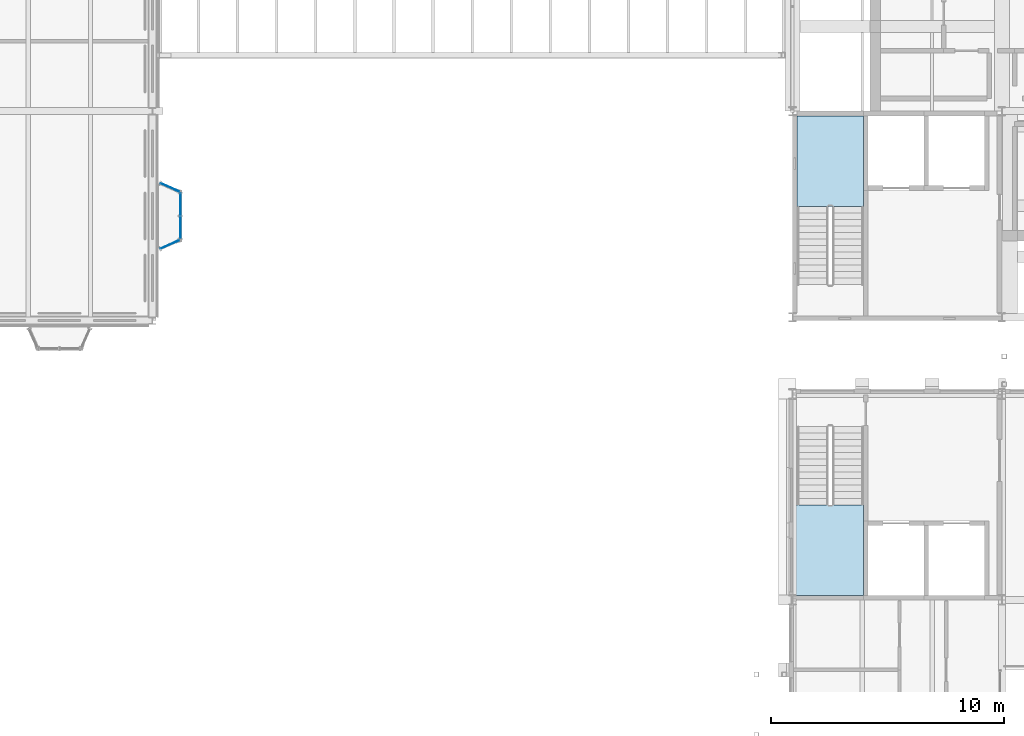
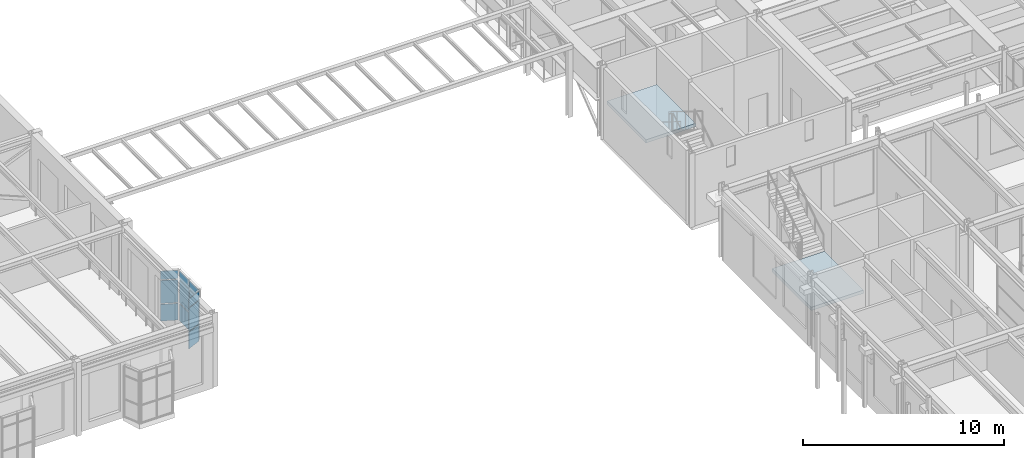
# One storey, part 86 of 153: 12 plates, 2 slabs, 5 elements without a shape of their own.
"""IFC4 building model written with IfcOpenShell, lengths in metres."""

from ifc_helpers import new_model, si_unit, direction, frame, origin, origin_2d, place, context, subcontext, project, spatial, polyline, rectangle, outline, extrude, material, layer, layer_set, type_object, element, aggregate, save


model = new_model("IFC4")

# Units and contexts
model_context = context("Model", 3, precision=1e-05, world=origin(), true_north=direction((0.0, 1.0)))
body_context = subcontext(model_context, "Body", "Model", "MODEL_VIEW")
ifc_project = project(units=[si_unit("LENGTHUNIT", "METRE"), si_unit("AREAUNIT", "SQUARE_METRE"), si_unit("VOLUMEUNIT", "CUBIC_METRE"), si_unit("PLANEANGLEUNIT", "RADIAN"), si_unit("MASSUNIT", "GRAM", prefix="KILO")], contexts=[model_context])

# Site, building, storey
site_placement = place(None, origin())
site = spatial("IfcSite", under=ifc_project, at=site_placement, CompositionType="ELEMENT")
building_placement = place(site_placement, origin())
building = spatial("IfcBuilding", under=site, at=building_placement, Name="Kallimachos Central Library", CompositionType="ELEMENT")
storey_placement = place(building_placement, frame((0.0, 0.0, 5.39990234375)))
storey = spatial("IfcBuildingStorey", under=building, at=storey_placement, Name="L01", CompositionType="ELEMENT", Elevation=5.39990234375)

# Curtain wall, plates
ifc_material_1 = material(Name="Laminated glass in anodised aluminium", Category="aluminium")
curtain_wall_type = type_object("IfcCurtainWallType", Name="Foyer curtain wall", PredefinedType="NOTDEFINED", material=ifc_material_1)
curtain_wall_1_placement = place(storey_placement, origin())
curtain_wall_1 = element("IfcCurtainWall", 1, at=curtain_wall_1_placement, inside=storey, type_object=curtain_wall_type, Name="Tribune bay return west", PredefinedType="NOTDEFINED")
ifc_material_2 = material(Name="Laminated glass", Category="glass")
ifc_layer_1 = layer(ifc_material_2, 0.028076171875)
ifc_layer_set_1 = layer_set([ifc_layer_1], Name="Curtain wall glass panel 28")
plate_type = type_object("IfcPlateType", Name="Curtain wall glass panel 28", PredefinedType="CURTAIN_PANEL", material=ifc_layer_set_1)
plate_1_placement = place(storey_placement, frame((38.75, 90.27490234375, 0.2099609375), z_axis=(0.0, 0.0, 1.0), x_axis=(0.913811548617, 0.40613846606, 0.0)))
plate_1 = element("IfcPlate", 2, at=plate_1_placement, type_object=plate_type, Name="CW panel 1.1", PredefinedType="CURTAIN_PANEL", context=body_context, shape_type="SweptSolid", body=[
    extrude(rectangle(XDim=0.864990234375, YDim=0.028076171875, at=origin_2d()), origin(), (0.0, 0.0, 1.0), 1.010009765625),
])
plate_2_placement = place(storey_placement, frame((38.75, 90.27490234375, 1.2802734375), z_axis=(0.0, 0.0, 1.0), x_axis=(0.913811548617, 0.40613846606, 0.0)))
plate_2 = element("IfcPlate", 3, at=plate_2_placement, type_object=plate_type, Name="CW panel 1.2", PredefinedType="CURTAIN_PANEL", context=body_context, shape_type="SweptSolid", body=[
    extrude(rectangle(XDim=0.864990234375, YDim=0.028076171875, at=origin_2d()), origin(), (0.0, 0.0, 1.0), 1.389892578125),
])
plate_3_placement = place(storey_placement, frame((38.75, 90.27490234375, 2.72998046875), z_axis=(0.0, 0.0, 1.0), x_axis=(0.913811548617, 0.40613846606, 0.0)))
plate_3 = element("IfcPlate", 4, at=plate_3_placement, type_object=plate_type, Name="CW panel 1.3", PredefinedType="CURTAIN_PANEL", context=body_context, shape_type="SweptSolid", body=[
    extrude(rectangle(XDim=0.864990234375, YDim=0.028076171875, at=origin_2d()), origin(), (0.0, 0.0, 1.0), 0.510009765625),
])
aggregate(curtain_wall_1, [plate_1, plate_2, plate_3])

curtain_wall_2_placement = place(storey_placement, origin())
curtain_wall_2 = element("IfcCurtainWall", 5, at=curtain_wall_2_placement, inside=storey, type_object=curtain_wall_type, Name="Tribune bay front", PredefinedType="NOTDEFINED")
plate_4_placement = place(storey_placement, frame((39.199951171875, 91.00244140625, 0.2099609375), z_axis=(0.0, 0.0, 1.0), x_axis=(0.0, 1.0, 0.0)))
plate_4 = element("IfcPlate", 6, at=plate_4_placement, type_object=plate_type, Name="CW panel 1.1", PredefinedType="CURTAIN_PANEL", context=body_context, shape_type="SweptSolid", body=[
    extrude(rectangle(XDim=0.93505859375, YDim=0.028076171875, at=origin_2d()), origin(), (0.0, 0.0, 1.0), 1.010009765625),
])
plate_5_placement = place(storey_placement, frame((39.199951171875, 91.00244140625, 1.2802734375), z_axis=(0.0, 0.0, 1.0), x_axis=(0.0, 1.0, 0.0)))
plate_5 = element("IfcPlate", 7, at=plate_5_placement, type_object=plate_type, Name="CW panel 1.2", PredefinedType="CURTAIN_PANEL", context=body_context, shape_type="SweptSolid", body=[
    extrude(rectangle(XDim=0.93505859375, YDim=0.028076171875, at=origin_2d()), origin(), (0.0, 0.0, 1.0), 1.389892578125),
])
plate_6_placement = place(storey_placement, frame((39.199951171875, 91.00244140625, 2.72998046875), z_axis=(0.0, 0.0, 1.0), x_axis=(0.0, 1.0, 0.0)))
plate_6 = element("IfcPlate", 8, at=plate_6_placement, type_object=plate_type, Name="CW panel 1.3", PredefinedType="CURTAIN_PANEL", context=body_context, shape_type="SweptSolid", body=[
    extrude(rectangle(XDim=0.93505859375, YDim=0.028076171875, at=origin_2d()), origin(), (0.0, 0.0, 1.0), 0.510009765625),
])
plate_7_placement = place(storey_placement, frame((39.199951171875, 91.99755859375, 0.2099609375), z_axis=(0.0, 0.0, 1.0), x_axis=(0.0, 1.0, 0.0)))
plate_7 = element("IfcPlate", 9, at=plate_7_placement, type_object=plate_type, Name="CW panel 2.1", PredefinedType="CURTAIN_PANEL", context=body_context, shape_type="SweptSolid", body=[
    extrude(rectangle(XDim=0.93505859375, YDim=0.028076171875, at=origin_2d()), origin(), (0.0, 0.0, 1.0), 1.010009765625),
])
plate_8_placement = place(storey_placement, frame((39.199951171875, 91.99755859375, 1.2802734375), z_axis=(0.0, 0.0, 1.0), x_axis=(0.0, 1.0, 0.0)))
plate_8 = element("IfcPlate", 10, at=plate_8_placement, type_object=plate_type, Name="CW panel 2.2", PredefinedType="CURTAIN_PANEL", context=body_context, shape_type="SweptSolid", body=[
    extrude(rectangle(XDim=0.93505859375, YDim=0.028076171875, at=origin_2d()), origin(), (0.0, 0.0, 1.0), 1.389892578125),
])
plate_9_placement = place(storey_placement, frame((39.199951171875, 91.99755859375, 2.72998046875), z_axis=(0.0, 0.0, 1.0), x_axis=(0.0, 1.0, 0.0)))
plate_9 = element("IfcPlate", 11, at=plate_9_placement, type_object=plate_type, Name="CW panel 2.3", PredefinedType="CURTAIN_PANEL", context=body_context, shape_type="SweptSolid", body=[
    extrude(rectangle(XDim=0.93505859375, YDim=0.028076171875, at=origin_2d()), origin(), (0.0, 0.0, 1.0), 0.510009765625),
])
aggregate(curtain_wall_2, [plate_4, plate_5, plate_6, plate_7, plate_8, plate_9])

curtain_wall_3_placement = place(storey_placement, origin())
curtain_wall_3 = element("IfcCurtainWall", 12, at=curtain_wall_3_placement, inside=storey, type_object=curtain_wall_type, Name="Tribune bay return east", PredefinedType="NOTDEFINED")
plate_10_placement = place(storey_placement, frame((38.75, 92.72509765625, 0.2099609375), z_axis=(0.0, 0.0, 1.0), x_axis=(-0.913811548617, 0.40613846606, 0.0)))
plate_10 = element("IfcPlate", 13, at=plate_10_placement, type_object=plate_type, Name="CW panel 1.1", PredefinedType="CURTAIN_PANEL", context=body_context, shape_type="SweptSolid", body=[
    extrude(rectangle(XDim=0.864990234375, YDim=0.028076171875, at=origin_2d()), origin(), (0.0, 0.0, 1.0), 1.010009765625),
])
plate_11_placement = place(storey_placement, frame((38.75, 92.72509765625, 1.2802734375), z_axis=(0.0, 0.0, 1.0), x_axis=(-0.913811548617, 0.40613846606, 0.0)))
plate_11 = element("IfcPlate", 14, at=plate_11_placement, type_object=plate_type, Name="CW panel 1.2", PredefinedType="CURTAIN_PANEL", context=body_context, shape_type="SweptSolid", body=[
    extrude(rectangle(XDim=0.864990234375, YDim=0.028076171875, at=origin_2d()), origin(), (0.0, 0.0, 1.0), 1.389892578125),
])
plate_12_placement = place(storey_placement, frame((38.75, 92.72509765625, 2.72998046875), z_axis=(0.0, 0.0, 1.0), x_axis=(-0.913811548617, 0.40613846606, 0.0)))
plate_12 = element("IfcPlate", 15, at=plate_12_placement, type_object=plate_type, Name="CW panel 1.3", PredefinedType="CURTAIN_PANEL", context=body_context, shape_type="SweptSolid", body=[
    extrude(rectangle(XDim=0.864990234375, YDim=0.028076171875, at=origin_2d()), origin(), (0.0, 0.0, 1.0), 0.510009765625),
])
aggregate(curtain_wall_3, [plate_10, plate_11, plate_12])

# Stair, slab
ifc_material_3 = material(Name="Concrete C30/37", Category="concrete")
stair_type_1 = type_object("IfcStairType", Name="Escape stair", PredefinedType="HALF_TURN_STAIR", material=ifc_material_3)
stair_1_placement = place(storey_placement, origin())
stair_1 = element("IfcStair", 16, at=stair_1_placement, inside=storey, type_object=stair_type_1, Name="L01 stair ST9", PredefinedType="HALF_TURN_STAIR")
ifc_material_4 = material(Name="Concrete C30/37", Category="concrete")
ifc_layer_2 = layer(ifc_material_4, 0.199951171875)
ifc_layer_set_2 = layer_set([ifc_layer_2], Name="Stair landing")
slab_type_1 = type_object("IfcSlabType", Name="Stair landing", PredefinedType="LANDING", material=ifc_layer_set_2)
slab_1_placement = place(storey_placement, frame((0.0, 0.0, 2.050048828125)))
slab_1 = element("IfcSlab", 17, at=slab_1_placement, type_object=slab_type_1, Name="ST9 landing 1", PredefinedType="LANDING", context=body_context, shape_type="SweptSolid", body=[
    extrude(outline(polyline([(65.54638671875, 75.199951171875), (68.550048828125, 75.199951171875), (68.550048828125, 79.090087890625), (65.54638671875, 79.090087890625), (65.54638671875, 75.199951171875)])), origin(), (0.0, 0.0, 1.0), 0.199951171875),
])
aggregate(stair_1, [slab_1])

ifc_material_5 = material(Name="Steel S355J2", Category="steel")
stair_type_2 = type_object("IfcStairType", Name="Steel half-turn stair 1350", PredefinedType="HALF_TURN_STAIR", material=ifc_material_5)
stair_2_placement = place(storey_placement, origin())
stair_2 = element("IfcStair", 18, at=stair_2_placement, inside=storey, type_object=stair_type_2, Name="L01 stair ST1", PredefinedType="HALF_TURN_STAIR")
ifc_material_6 = material(Name="Concrete C30/37", Category="concrete")
ifc_layer_3 = layer(ifc_material_6, 0.199951171875)
ifc_layer_set_3 = layer_set([ifc_layer_3], Name="Stair landing slab 200")
slab_type_2 = type_object("IfcSlabType", Name="Stair landing slab 200", PredefinedType="LANDING", material=ifc_layer_set_3)
slab_2_placement = place(storey_placement, frame((0.0, 0.0, 2.050048828125)))
slab_2 = element("IfcSlab", 19, at=slab_2_placement, type_object=slab_type_2, Name="ST1 landing 1", PredefinedType="LANDING", context=body_context, shape_type="SweptSolid", body=[
    extrude(outline(polyline([(68.550048828125, 91.909912109375), (68.550048828125, 95.800048828125), (65.699951171875, 95.800048828125), (65.699951171875, 91.909912109375), (68.550048828125, 91.909912109375)])), origin(), (0.0, 0.0, 1.0), 0.199951171875),
])
aggregate(stair_2, [slab_2])

save(model, "model.ifc")
